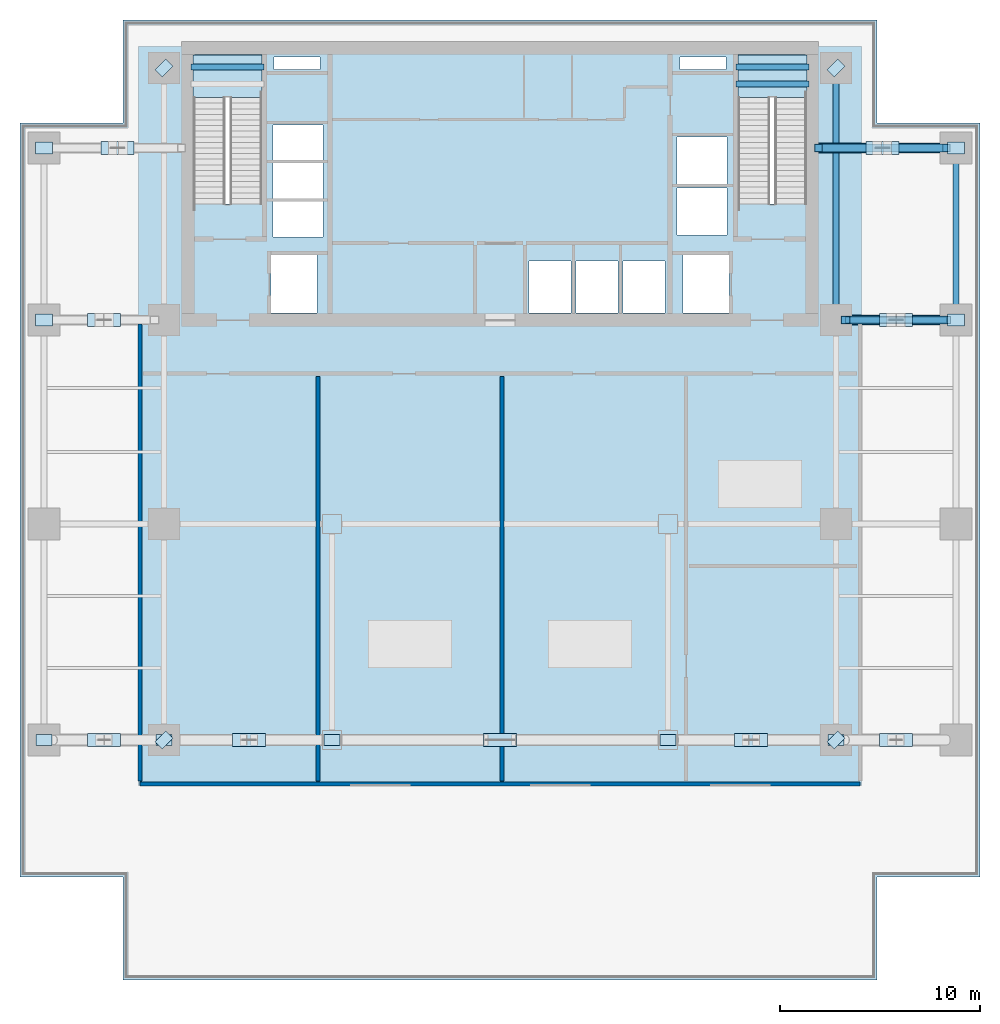
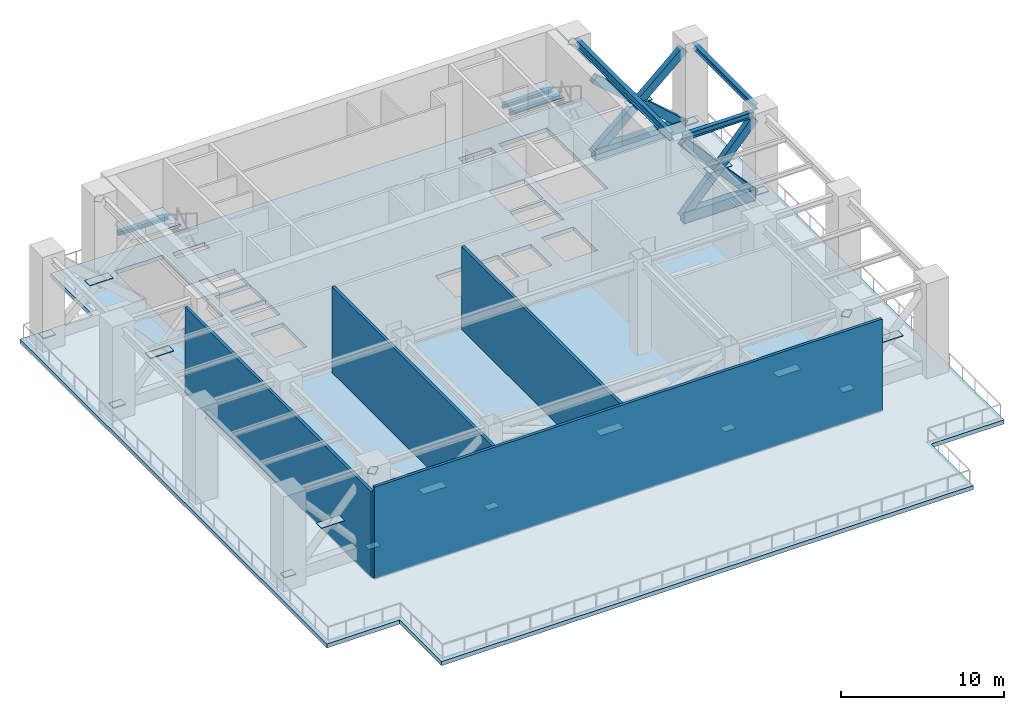
# One storey, part 2 of 8: 22 plates, 8 beams, 6 members, 4 walls, 3 slabs, 2 elements without a shape of their own.
"""IFC4 building model written with IfcOpenShell, lengths in metres."""

from ifc_helpers import new_model, si_unit, direction, frame, frame_2d, origin, origin_2d, place, context, subcontext, project, spatial, polyline, rectangle, hollow_rectangle, i_section, outline, extrude, source, transform, mapped, material, layer, layer_set, material_profile, profile_set, type_object, element, aggregate, save


model = new_model("IFC4")

# Units and contexts
model_context = context("Model", 3, precision=1e-05, world=origin(), true_north=direction((0.0, 1.0)))
body_context = subcontext(model_context, "Body", "Model", "MODEL_VIEW")
ifc_project = project(units=[si_unit("LENGTHUNIT", "METRE"), si_unit("AREAUNIT", "SQUARE_METRE"), si_unit("VOLUMEUNIT", "CUBIC_METRE"), si_unit("PLANEANGLEUNIT", "RADIAN"), si_unit("MASSUNIT", "GRAM", prefix="KILO")], contexts=[model_context])

# Site, building, storey
site_placement = place(None, origin())
site = spatial("IfcSite", under=ifc_project, at=site_placement, CompositionType="ELEMENT")
building_placement = place(site_placement, origin())
building = spatial("IfcBuilding", under=site, at=building_placement, Name="Sumidabori Civic Tower", CompositionType="ELEMENT")
storey_placement = place(building_placement, frame((0.0, 0.0, 189.199951171875)))
storey = spatial("IfcBuildingStorey", under=building, at=storey_placement, Name="L49", CompositionType="ELEMENT", Elevation=189.199951171875)

# Beams
ifc_material_1 = material(Name="Steel SN490", Category="steel")
ifc_material_profile_1 = material_profile(ifc_material_1, i_section(OverallWidth=0.300048828125, OverallDepth=0.300048828125, WebThickness=0.010986328125, FlangeThickness=0.01904296875, at=origin_2d()), Name="HE 300 B")
ifc_profile_set_1 = profile_set([ifc_material_profile_1], Name="Steel SN490")
beam_type_1 = type_object("IfcBeamType", Name="BM-LDG-300", PredefinedType="BEAM", material=ifc_profile_set_1)
shared_shape_1 = source(origin(), body_context, "Body", "SweptSolid", [
    extrude(i_section(OverallWidth=0.300048828125, OverallDepth=0.300048828125, WebThickness=0.010986328125, FlangeThickness=0.01904296875, at=origin_2d()), origin(), (0.0, 0.0, 1.0), 3.64990234375),
])
for number, where, z_axis, x_axis, name in (
    (1, (-15.449951171875, 22.853515625, 3.25), (1.0, 0.0, 0.0), (0.0, 1.0, 0.0), "Stair ST-1 Landing Trimmer Beam L49-1B"),
    (2, (11.800048828125, 22.001708984375, 3.25), (1.0, 0.0, 0.0), (0.0, 1.0, 0.0), "Stair ST-2 Landing Support Beam L49-1A"),
    (3, (11.800048828125, 22.853515625, 3.25), (1.0, 0.0, 0.0), (0.0, 1.0, 0.0), "Stair ST-2 Landing Trimmer Beam L49-1B"),
):
    element("IfcBeam", number, at=place(storey_placement, frame(where, z_axis=z_axis, x_axis=x_axis)), inside=storey, type_object=beam_type_1, Name=name, PredefinedType="BEAM", context=body_context, shape_type="MappedRepresentation", body=[
        mapped(shared_shape_1, transform((0.0, 0.0, 0.0), x_axis=(1.0, 0.0, 0.0), y_axis=(0.0, 1.0, 0.0), z_axis=(0.0, 0.0, 1.0), scale=1.0)),
    ])
ifc_material_profile_2 = material_profile(ifc_material_1, i_section(OverallWidth=0.300048828125, OverallDepth=0.39990234375, WebThickness=0.013427734375, FlangeThickness=0.02392578125, at=origin_2d()), Name="HE 400 B")
ifc_profile_set_2 = profile_set([ifc_material_profile_2], Name="Steel SN490")
beam_type_2 = type_object("IfcBeamType", Name="BM-GIRD-400", PredefinedType="BEAM", material=ifc_profile_set_2)
shared_shape_2 = source(origin(), body_context, "Body", "SweptSolid", [
    extrude(i_section(OverallWidth=0.300048828125, OverallDepth=0.39990234375, WebThickness=0.013427734375, FlangeThickness=0.02392578125, at=origin_2d()), origin(), (0.0, 0.0, 1.0), 7.64013671875),
])
beam_1_placement = place(storey_placement, frame((22.800048828125, 10.679931640625, 6.699951171875), z_axis=(0.0, 1.0, 0.0), x_axis=(-1.0, 0.0, 0.0)))
element("IfcBeam", 4, at=beam_1_placement, inside=storey, type_object=beam_type_2, Name="Primary Girder L49 GY-26", PredefinedType="BEAM", context=body_context, shape_type="MappedRepresentation", body=[
    mapped(shared_shape_2, transform((0.0, 0.0, 0.0), x_axis=(1.0, 0.0, 0.0), y_axis=(0.0, 1.0, 0.0), z_axis=(0.0, 0.0, 1.0), scale=1.0)),
])
ifc_material_profile_3 = material_profile(ifc_material_1, i_section(OverallWidth=0.300048828125, OverallDepth=0.60009765625, WebThickness=0.015380859375, FlangeThickness=0.030029296875, at=origin_2d()), Name="HE 600 B")
ifc_profile_set_3 = profile_set([ifc_material_profile_3], Name="Steel SN490")
beam_type_3 = type_object("IfcBeamType", Name="BM-GIRD-600", PredefinedType="BEAM", material=ifc_profile_set_3)
shared_shape_3 = source(origin(), body_context, "Body", "SweptSolid", [
    extrude(i_section(OverallWidth=0.300048828125, OverallDepth=0.60009765625, WebThickness=0.015380859375, FlangeThickness=0.030029296875, at=origin_2d()), origin(), (0.0, 0.0, 1.0), 11.64013671875),
])
beam_2_placement = place(storey_placement, frame((16.800048828125, 10.679931640625, 6.60009765625), z_axis=(0.0, 1.0, 0.0), x_axis=(-1.0, 0.0, 0.0)))
element("IfcBeam", 5, at=beam_2_placement, inside=storey, type_object=beam_type_3, Name="Primary Girder L49 GY-23", PredefinedType="BEAM", context=body_context, shape_type="MappedRepresentation", body=[
    mapped(shared_shape_3, transform((0.0, 0.0, 0.0), x_axis=(1.0, 0.0, 0.0), y_axis=(0.0, 1.0, 0.0), z_axis=(0.0, 0.0, 1.0), scale=1.0)),
])
ifc_material_profile_4 = material_profile(ifc_material_1, i_section(OverallWidth=0.300048828125, OverallDepth=0.449951171875, WebThickness=0.013916015625, FlangeThickness=0.02587890625, at=origin_2d()), Name="HE 450 B")
ifc_profile_set_4 = profile_set([ifc_material_profile_4], Name="Steel SN490")
beam_type_4 = type_object("IfcBeamType", Name="BM-GIRD-450", PredefinedType="BEAM", material=ifc_profile_set_4)
shared_shape_4 = source(origin(), body_context, "Body", "SweptSolid", [
    extrude(i_section(OverallWidth=0.300048828125, OverallDepth=0.449951171875, WebThickness=0.013916015625, FlangeThickness=0.02587890625, at=origin_2d()), origin(), (0.0, 0.0, 1.0), 5.0400390625),
])
beam_3_placement = place(storey_placement, frame((17.280029296875, 10.199951171875, 6.675048828125), z_axis=(1.0, 0.0, 0.0), x_axis=(0.0, 1.0, 0.0)))
element("IfcBeam", 6, at=beam_3_placement, inside=storey, type_object=beam_type_4, Name="Primary Girder L49 GX-12", PredefinedType="BEAM", context=body_context, shape_type="MappedRepresentation", body=[
    mapped(shared_shape_4, transform((0.0, 0.0, 0.0), x_axis=(1.0, 0.0, 0.0), y_axis=(0.0, 1.0, 0.0), z_axis=(0.0, 0.0, 1.0), scale=1.0)),
])
ifc_material_profile_5 = material_profile(ifc_material_1, hollow_rectangle(XDim=0.5, YDim=0.800048828125, WallThickness=0.031982421875, at=origin_2d()), Name="RHS 800x500x32")
ifc_profile_set_5 = profile_set([ifc_material_profile_5], Name="Steel SN490")
beam_type_5 = type_object("IfcBeamType", Name="BM-OUTR-CHORD", PredefinedType="BEAM", material=ifc_profile_set_5)
shared_shape_5 = source(origin(), body_context, "Body", "SweptSolid", [
    extrude(hollow_rectangle(XDim=0.5, YDim=0.800048828125, WallThickness=0.031982421875, at=origin_2d()), origin(), (0.0, 0.0, 1.0), 5.0400390625),
])
beam_4_placement = place(storey_placement, frame((17.280029296875, 10.199951171875, 0.699951171875), z_axis=(1.0, 0.0, 0.0), x_axis=(0.0, 1.0, 0.0)))
element("IfcBeam", 7, at=beam_4_placement, inside=storey, type_object=beam_type_5, Name="Outrigger Truss Chord L49 E1", PredefinedType="BEAM", context=body_context, shape_type="MappedRepresentation", body=[
    mapped(shared_shape_5, transform((0.0, 0.0, 0.0), x_axis=(1.0, 0.0, 0.0), y_axis=(0.0, 1.0, 0.0), z_axis=(0.0, 0.0, 1.0), scale=1.0)),
])

# Members
ifc_material_profile_6 = material_profile(ifc_material_1, hollow_rectangle(XDim=0.39990234375, YDim=0.60009765625, WallThickness=0.02490234375, at=origin_2d()), Name="RHS 600x400x25")
ifc_profile_set_6 = profile_set([ifc_material_profile_6], Name="Steel SN490")
member_type = type_object("IfcMemberType", Name="MB-OT-DIAG", PredefinedType="BRACE", material=ifc_profile_set_6)
shared_shape_6 = source(origin(), body_context, "Body", "SweptSolid", [
    extrude(hollow_rectangle(XDim=0.39990234375, YDim=0.60009765625, WallThickness=0.02490234375, at=origin_2d()), origin(), (0.0, 0.0, 1.0), 7.5712890625),
])
member_1_placement = place(storey_placement, frame((17.280029296875, 10.199951171875, 0.699951171875), z_axis=(0.665667751905, 0.0, 0.746248245608), x_axis=(0.0, 1.0, 0.0)))
element("IfcMember", 8, at=member_1_placement, inside=storey, type_object=member_type, Name="Outrigger Truss Diagonal L49 E1A", PredefinedType="BRACE", context=body_context, shape_type="MappedRepresentation", body=[
    mapped(shared_shape_6, transform((0.0, 0.0, 0.0), x_axis=(1.0, 0.0, 0.0), y_axis=(0.0, 1.0, 0.0), z_axis=(0.0, 0.0, 1.0), scale=1.0)),
])
shared_shape_7 = source(origin(), body_context, "Body", "SweptSolid", [
    extrude(hollow_rectangle(XDim=0.39990234375, YDim=0.60009765625, WallThickness=0.02490234375, at=origin_2d()), origin(), (0.0, 0.0, 1.0), 3.437255859375),
])
for number, where, z_axis, x_axis, name in (
    (9, (17.280029296875, 10.199951171875, 6.35009765625), (0.665685410802, 0.0, -0.746232493159), (0.0, 1.0, 0.0), "Outrigger Truss Diagonal L49 E1B Lower Segment"),
    (10, (20.031982421875, 10.199951171875, 3.26513671875), (0.665650127754, 0.0, -0.746263966316), (0.0, 1.0, 0.0), "Outrigger Truss Diagonal L49 E1B Upper Segment"),
):
    element("IfcMember", number, at=place(storey_placement, frame(where, z_axis=z_axis, x_axis=x_axis)), inside=storey, type_object=member_type, Name=name, PredefinedType="BRACE", context=body_context, shape_type="MappedRepresentation", body=[
        mapped(shared_shape_7, transform((0.0, 0.0, 0.0), x_axis=(1.0, 0.0, 0.0), y_axis=(0.0, 1.0, 0.0), z_axis=(0.0, 0.0, 1.0), scale=1.0)),
    ])

# Beam
shared_shape_8 = source(origin(), body_context, "Body", "SweptSolid", [
    extrude(hollow_rectangle(XDim=0.5, YDim=0.800048828125, WallThickness=0.031982421875, at=origin_2d()), origin(), (0.0, 0.0, 1.0), 6.39501953125),
])
beam_5_placement = place(storey_placement, frame((15.925048828125, 18.800048828125, 0.699951171875), z_axis=(1.0, 0.0, 0.0), x_axis=(0.0, 1.0, 0.0)))
element("IfcBeam", 11, at=beam_5_placement, inside=storey, type_object=beam_type_5, Name="Outrigger Truss Chord L49 E2", PredefinedType="BEAM", context=body_context, shape_type="MappedRepresentation", body=[
    mapped(shared_shape_8, transform((0.0, 0.0, 0.0), x_axis=(1.0, 0.0, 0.0), y_axis=(0.0, 1.0, 0.0), z_axis=(0.0, 0.0, 1.0), scale=1.0)),
])

# Members
shared_shape_9 = source(origin(), body_context, "Body", "SweptSolid", [
    extrude(hollow_rectangle(XDim=0.39990234375, YDim=0.60009765625, WallThickness=0.02490234375, at=origin_2d()), origin(), (0.0, 0.0, 1.0), 8.533447265625),
])
member_2_placement = place(storey_placement, frame((15.925048828125, 18.800048828125, 0.699951171875), z_axis=(0.749402703282, 0.0, 0.662114482785), x_axis=(0.0, 1.0, 0.0)))
element("IfcMember", 12, at=member_2_placement, inside=storey, type_object=member_type, Name="Outrigger Truss Diagonal L49 E2A", PredefinedType="BRACE", context=body_context, shape_type="MappedRepresentation", body=[
    mapped(shared_shape_9, transform((0.0, 0.0, 0.0), x_axis=(1.0, 0.0, 0.0), y_axis=(0.0, 1.0, 0.0), z_axis=(0.0, 0.0, 1.0), scale=1.0)),
])
shared_shape_10 = source(origin(), body_context, "Body", "SweptSolid", [
    extrude(hollow_rectangle(XDim=0.39990234375, YDim=0.60009765625, WallThickness=0.02490234375, at=origin_2d()), origin(), (0.0, 0.0, 1.0), 3.9150390625),
])
member_3_placement = place(storey_placement, frame((15.925048828125, 18.800048828125, 6.35009765625), z_axis=(0.749380895254, 0.0, -0.662139165001), x_axis=(0.0, 1.0, 0.0)))
element("IfcMember", 13, at=member_3_placement, inside=storey, type_object=member_type, Name="Outrigger Truss Diagonal L49 E2B Lower Segment", PredefinedType="BRACE", context=body_context, shape_type="MappedRepresentation", body=[
    mapped(shared_shape_10, transform((0.0, 0.0, 0.0), x_axis=(1.0, 0.0, 0.0), y_axis=(0.0, 1.0, 0.0), z_axis=(0.0, 0.0, 1.0), scale=1.0)),
])
shared_shape_11 = source(origin(), body_context, "Body", "SweptSolid", [
    extrude(hollow_rectangle(XDim=0.39990234375, YDim=0.60009765625, WallThickness=0.02490234375, at=origin_2d()), origin(), (0.0, 0.0, 1.0), 3.915283203125),
])
member_4_placement = place(storey_placement, frame((19.385986328125, 18.800048828125, 3.292236328125), z_axis=(0.749408233754, 0.0, -0.662108223165), x_axis=(0.0, 1.0, 0.0)))
element("IfcMember", 14, at=member_4_placement, inside=storey, type_object=member_type, Name="Outrigger Truss Diagonal L49 E2B Upper Segment", PredefinedType="BRACE", context=body_context, shape_type="MappedRepresentation", body=[
    mapped(shared_shape_11, transform((0.0, 0.0, 0.0), x_axis=(1.0, 0.0, 0.0), y_axis=(0.0, 1.0, 0.0), z_axis=(0.0, 0.0, 1.0), scale=1.0)),
])

# Stair, slab
ifc_material_2 = material(Name="Concrete C40/50", Category="concrete")
stair_type = type_object("IfcStairType", Name="ST-CORE-1600", PredefinedType="HALF_TURN_STAIR", material=ifc_material_2)
stair_1_placement = place(storey_placement, origin())
stair_1 = element("IfcStair", 15, at=stair_1_placement, inside=storey, type_object=stair_type, Name="L49 ST-1", PredefinedType="HALF_TURN_STAIR")
ifc_layer_1 = layer(ifc_material_2, 0.199951171875, Name="Concrete C40/50")
ifc_layer_set_1 = layer_set([ifc_layer_1], Name="Concrete C40/50")
slab_type_1 = type_object("IfcSlabType", Name="SL-LAND-200", PredefinedType="LANDING", material=ifc_layer_set_1)
slab_1_placement = place(storey_placement, frame((0.0, 0.0, 3.400146484375)))
slab_1 = element("IfcSlab", 16, at=slab_1_placement, type_object=slab_type_1, Name="ST-1 landing 1", PredefinedType="LANDING", context=body_context, shape_type="SweptSolid", body=[
    extrude(outline(polyline([(-11.89990234375, 21.320068359375), (-11.89990234375, 23.449951171875), (-15.340087890625, 23.449951171875), (-15.340087890625, 21.320068359375), (-11.89990234375, 21.320068359375)])), origin(), (0.0, 0.0, 1.0), 0.199951171875),
])
aggregate(stair_1, [slab_1])

stair_2_placement = place(storey_placement, origin())
stair_2 = element("IfcStair", 17, at=stair_2_placement, inside=storey, type_object=stair_type, Name="L49 ST-2", PredefinedType="HALF_TURN_STAIR")
slab_2_placement = place(storey_placement, frame((0.0, 0.0, 3.400146484375)))
slab_2 = element("IfcSlab", 18, at=slab_2_placement, type_object=slab_type_1, Name="ST-2 landing 1", PredefinedType="LANDING", context=body_context, shape_type="SweptSolid", body=[
    extrude(outline(polyline([(15.340087890625, 21.320068359375), (15.340087890625, 23.449951171875), (11.89990234375, 23.449951171875), (11.89990234375, 21.320068359375), (15.340087890625, 21.320068359375)])), origin(), (0.0, 0.0, 1.0), 0.199951171875),
])
aggregate(stair_2, [slab_2])

# Slab
ifc_layer_2 = layer(ifc_material_2, 0.300048828125, Name="Concrete C40/50")
ifc_layer_set_2 = layer_set([ifc_layer_2], Name="Concrete C40/50")
slab_type_2 = type_object("IfcSlabType", Name="SL-PRT-300", PredefinedType="FLOOR", material=ifc_layer_set_2)
slab_3_placement = place(storey_placement, frame((0.0, 0.0, -0.300048828125)))
element("IfcSlab", 19, at=slab_3_placement, inside=storey, type_object=slab_type_2, Name="Wind-Slot Refuge and Plant Structural Slab L49", PredefinedType="FLOOR", context=body_context, shape_type="SweptSolid", body=[
    extrude(outline(polyline([(-18.85009765625, -22.800048828125), (18.85009765625, -22.800048828125), (18.85009765625, -17.64990234375), (24.0, -17.64990234375), (24.0, 20.050048828125), (18.85009765625, 20.050048828125), (18.85009765625, 25.199951171875), (-18.85009765625, 25.199951171875), (-18.85009765625, 20.050048828125), (-24.0, 20.050048828125), (-24.0, -17.64990234375), (-18.85009765625, -17.64990234375), (-18.85009765625, -22.800048828125)]), holes=[polyline([(-11.89990234375, 16.0), (-11.89990234375, 23.449951171875), (-15.340087890625, 23.449951171875), (-15.340087890625, 16.0), (-11.89990234375, 16.0)]), polyline([(15.340087890625, 16.0), (15.340087890625, 23.449951171875), (11.89990234375, 23.449951171875), (11.89990234375, 16.0), (15.340087890625, 16.0)]), polyline([(-11.449951171875, 10.550048828125), (-9.14990234375, 10.550048828125), (-9.14990234375, 13.449951171875), (-11.449951171875, 13.449951171875), (-11.449951171875, 10.550048828125)]), polyline([(9.14990234375, 10.550048828125), (11.449951171875, 10.550048828125), (11.449951171875, 13.449951171875), (9.14990234375, 13.449951171875), (9.14990234375, 10.550048828125)]), polyline([(1.449951171875, 10.550048828125), (3.550048828125, 10.550048828125), (3.550048828125, 13.14990234375), (1.449951171875, 13.14990234375), (1.449951171875, 10.550048828125)]), polyline([(3.800048828125, 10.550048828125), (5.89990234375, 10.550048828125), (5.89990234375, 13.14990234375), (3.800048828125, 13.14990234375), (3.800048828125, 10.550048828125)]), polyline([(6.14990234375, 10.550048828125), (8.25, 10.550048828125), (8.25, 13.14990234375), (6.14990234375, 13.14990234375), (6.14990234375, 10.550048828125)]), polyline([(-11.35009765625, 14.35009765625), (-8.85009765625, 14.35009765625), (-8.85009765625, 16.1201171875), (-11.35009765625, 16.1201171875), (-11.35009765625, 14.35009765625)]), polyline([(-11.35009765625, 16.27001953125), (-8.85009765625, 16.27001953125), (-8.85009765625, 18.0400390625), (-11.35009765625, 18.0400390625), (-11.35009765625, 16.27001953125)]), polyline([(-11.35009765625, 18.18994140625), (-8.85009765625, 18.18994140625), (-8.85009765625, 19.9599609375), (-11.35009765625, 19.9599609375), (-11.35009765625, 18.18994140625)]), polyline([(8.85009765625, 14.449951171875), (11.35009765625, 14.449951171875), (11.35009765625, 16.800048828125), (8.85009765625, 16.800048828125), (8.85009765625, 14.449951171875)]), polyline([(8.85009765625, 17.0), (11.35009765625, 17.0), (11.35009765625, 19.35009765625), (8.85009765625, 19.35009765625), (8.85009765625, 17.0)]), polyline([(-11.300048828125, 22.719970703125), (-9.0, 22.719970703125), (-9.0, 23.35009765625), (-11.300048828125, 23.35009765625), (-11.300048828125, 22.719970703125)]), polyline([(9.0, 22.719970703125), (11.300048828125, 22.719970703125), (11.300048828125, 23.35009765625), (9.0, 23.35009765625), (9.0, 22.719970703125)])]), origin(), (0.0, 0.0, 1.0), 0.300048828125),
])

# Plates
ifc_layer_3 = layer(ifc_material_1, 0.0400390625, Name="Steel SN490")
ifc_layer_set_3 = layer_set([ifc_layer_3], Name="Steel SN490")
plate_type_1 = type_object("IfcPlateType", Name="PL-NODE-XBR", PredefinedType="USERDEFINED", material=ifc_layer_set_3)
shared_shape_12 = source(origin(), body_context, "Body", "SweptSolid", [
    extrude(rectangle(XDim=1.64990234375, YDim=0.64990234375, at=origin_2d()), origin(), (0.0, 0.0, 1.0), 0.0400390625),
])
for number, where, z_axis, x_axis, name in (
    (20, (-19.800048828125, -10.800048828125, 3.505126953125), (0.0, 0.0, 1.0), (1.0, 0.0, 0.0), "X-Brace Crossing Node Plate XND-BT-1"),
    (21, (-12.550048828125, -10.800048828125, 3.505126953125), (0.0, 0.0, 1.0), (1.0, 0.0, 0.0), "X-Brace Crossing Node Plate XND-BT-2"),
    (22, (0.0, -10.800048828125, 3.505126953125), (0.0, 0.0, 1.0), (1.0, 0.0, 0.0), "X-Brace Crossing Node Plate XND-BT-3"),
    (23, (12.550048828125, -10.800048828125, 3.505126953125), (0.0, 0.0, 1.0), (1.0, 0.0, 0.0), "X-Brace Crossing Node Plate XND-BT-4"),
    (24, (19.800048828125, -10.800048828125, 3.505126953125), (0.0, 0.0, 1.0), (1.0, 0.0, 0.0), "X-Brace Crossing Node Plate XND-BT-5"),
    (25, (-19.800048828125, 10.199951171875, 3.505126953125), (0.0, 0.0, 1.0), (-1.0, 0.0, 0.0), "X-Brace Crossing Node Plate XND-OT-W1"),
    (26, (-19.12255859375, 18.800048828125, 3.505126953125), (0.0, 0.0, 1.0), (-1.0, 0.0, 0.0), "X-Brace Crossing Node Plate XND-OT-W2"),
    (27, (19.800048828125, 10.199951171875, 3.505126953125), (0.0, 0.0, 1.0), (1.0, 0.0, 0.0), "X-Brace Crossing Node Plate XND-OT-E1"),
    (28, (19.12255859375, 18.800048828125, 3.505126953125), (0.0, 0.0, 1.0), (1.0, 0.0, 0.0), "X-Brace Crossing Node Plate XND-OT-E2"),
):
    element("IfcPlate", number, at=place(storey_placement, frame(where, z_axis=z_axis, x_axis=x_axis)), inside=storey, type_object=plate_type_1, Name=name, ObjectType="GUSSET_PLATE", PredefinedType="USERDEFINED", context=body_context, shape_type="MappedRepresentation", body=[
        mapped(shared_shape_12, transform((0.0, 0.0, 0.0), x_axis=(1.0, 0.0, 0.0), y_axis=(0.0, 1.0, 0.0), z_axis=(0.0, 0.0, 1.0), scale=1.0)),
    ])
ifc_layer_4 = layer(ifc_material_1, 0.0400390625, Name="Steel SN490")
ifc_layer_set_4 = layer_set([ifc_layer_4], Name="Steel SN490")
plate_type_2 = type_object("IfcPlateType", Name="PL-NODE-BT", PredefinedType="USERDEFINED", material=ifc_layer_set_4)
shared_shape_13 = source(origin(), body_context, "Body", "SweptSolid", [
    extrude(rectangle(XDim=0.800048828125, YDim=0.550048828125, at=origin_2d()), origin(), (0.0, 0.0, 1.0), 0.0400390625),
])
for number, where, z_axis, x_axis, name in (
    (29, (-22.800048828125, -10.800048828125, 0.679931640625), (0.0, 0.0, 1.0), (1.0, 0.0, 0.0), "Belt Truss Node Cap Plate L49"),
    (30, (-16.800048828125, -10.800048828125, 0.679931640625), (0.0, 0.0, 1.0), (1.0, 0.0, 0.0), "Belt Truss Node Cap Plate L49"),
    (31, (-8.39990234375, -10.800048828125, 0.679931640625), (0.0, 0.0, 1.0), (1.0, 0.0, 0.0), "Belt Truss Node Cap Plate L49"),
    (32, (8.39990234375, -10.800048828125, 0.679931640625), (0.0, 0.0, 1.0), (1.0, 0.0, 0.0), "Belt Truss Node Cap Plate L49"),
    (33, (16.800048828125, -10.800048828125, 0.679931640625), (0.0, 0.0, 1.0), (1.0, 0.0, 0.0), "Belt Truss Node Cap Plate L49"),
):
    element("IfcPlate", number, at=place(storey_placement, frame(where, z_axis=z_axis, x_axis=x_axis)), inside=storey, type_object=plate_type_2, Name=name, ObjectType="GUSSET_PLATE", PredefinedType="USERDEFINED", context=body_context, shape_type="MappedRepresentation", body=[
        mapped(shared_shape_13, transform((0.0, 0.0, 0.0), x_axis=(1.0, 0.0, 0.0), y_axis=(0.0, 1.0, 0.0), z_axis=(0.0, 0.0, 1.0), scale=1.0)),
    ])
ifc_layer_5 = layer(ifc_material_1, 0.0400390625, Name="Steel SN490")
ifc_layer_set_5 = layer_set([ifc_layer_5], Name="Steel SN490")
plate_type_3 = type_object("IfcPlateType", Name="PL-NODE-OT", PredefinedType="USERDEFINED", material=ifc_layer_set_5)
shared_shape_14 = source(origin(), body_context, "Body", "SweptSolid", [
    extrude(rectangle(XDim=0.85009765625, YDim=0.60009765625, at=origin_2d()), origin(), (0.0, 0.0, 1.0), 0.0400390625),
])
for number, where, z_axis, x_axis, name in (
    (34, (-22.800048828125, 10.199951171875, 0.679931640625), (0.0, 0.0, 1.0), (1.0, 0.0, 0.0), "Outrigger Column Node Gusset L49"),
    (35, (-22.800048828125, 18.800048828125, 0.679931640625), (0.0, 0.0, 1.0), (1.0, 0.0, 0.0), "Outrigger Column Node Gusset L49"),
    (36, (22.800048828125, 10.199951171875, 0.679931640625), (0.0, 0.0, 1.0), (1.0, 0.0, 0.0), "Outrigger Column Node Gusset L49"),
    (37, (22.800048828125, 18.800048828125, 0.679931640625), (0.0, 0.0, 1.0), (1.0, 0.0, 0.0), "Outrigger Column Node Gusset L49"),
):
    element("IfcPlate", number, at=place(storey_placement, frame(where, z_axis=z_axis, x_axis=x_axis)), inside=storey, type_object=plate_type_3, Name=name, ObjectType="GUSSET_PLATE", PredefinedType="USERDEFINED", context=body_context, shape_type="MappedRepresentation", body=[
        mapped(shared_shape_14, transform((0.0, 0.0, 0.0), x_axis=(1.0, 0.0, 0.0), y_axis=(0.0, 1.0, 0.0), z_axis=(0.0, 0.0, 1.0), scale=1.0)),
    ])
ifc_layer_6 = layer(ifc_material_1, 0.035888671875, Name="Steel SN490")
ifc_layer_set_6 = layer_set([ifc_layer_6], Name="Steel SN490")
plate_type_4 = type_object("IfcPlateType", Name="PL-NODE-KN", PredefinedType="USERDEFINED", material=ifc_layer_set_6)
shared_shape_15 = source(origin(), body_context, "Body", "SweptSolid", [
    extrude(rectangle(XDim=0.75, YDim=0.5, at=origin_2d()), origin(), (0.0, 0.0, 1.0), 0.035888671875),
])
for number, where, z_axis, x_axis, name in (
    (38, (-16.800048828125, -10.800048828125, 6.33203125), (0.0, 0.0, 1.0), (0.707106781187, 0.707106781187, 0.0), "Notched Corner Kink Node Plate L49-1"),
    (39, (16.800048828125, -10.800048828125, 6.33203125), (0.0, 0.0, 1.0), (0.707106781187, 0.707106781187, 0.0), "Notched Corner Kink Node Plate L49-2"),
    (40, (-16.800048828125, 22.800048828125, 6.33203125), (0.0, 0.0, 1.0), (0.707106781187, 0.707106781187, 0.0), "Notched Corner Kink Node Plate L49-3"),
    (41, (16.800048828125, 22.800048828125, 6.33203125), (0.0, 0.0, 1.0), (0.707106781187, 0.707106781187, 0.0), "Notched Corner Kink Node Plate L49-4"),
):
    element("IfcPlate", number, at=place(storey_placement, frame(where, z_axis=z_axis, x_axis=x_axis)), inside=storey, type_object=plate_type_4, Name=name, ObjectType="GUSSET_PLATE", PredefinedType="USERDEFINED", context=body_context, shape_type="MappedRepresentation", body=[
        mapped(shared_shape_15, transform((0.0, 0.0, 0.0), x_axis=(1.0, 0.0, 0.0), y_axis=(0.0, 1.0, 0.0), z_axis=(0.0, 0.0, 1.0), scale=1.0)),
    ])

# Walls
ifc_material_3 = material(Name="Gypsum Plasterboard Fire Partition")
ifc_layer_7 = layer(ifc_material_3, 0.199951171875, Name="Gypsum Plasterboard Fire Partition")
ifc_layer_set_7 = layer_set([ifc_layer_7], Name="Gypsum Plasterboard Fire Partition")
wall_type = type_object("IfcWallType", Name="WL-PART-FIRE", PredefinedType="PARTITIONING", material=ifc_layer_set_7)
shared_shape_16 = source(origin(), body_context, "Body", "SweptSolid", [
    extrude(rectangle(XDim=22.85009765625, YDim=0.199951171875, at=frame_2d((11.425048828125, 0.0))), origin(), (0.0, 0.0, 1.0), 6.43505859375),
])
wall_1_placement = place(storey_placement, frame((-18.0, -12.85009765625, 0.0), z_axis=(0.0, 0.0, 1.0), x_axis=(0.0, 1.0, 0.0)))
element("IfcWall", 42, at=wall_1_placement, inside=storey, type_object=wall_type, Name="Interior Partition WL:L49:PL-W", PredefinedType="PARTITIONING", context=body_context, shape_type="MappedRepresentation", body=[
    mapped(shared_shape_16, transform((0.0, 0.0, 0.0), x_axis=(1.0, 0.0, 0.0), y_axis=(0.0, 1.0, 0.0), z_axis=(0.0, 0.0, 1.0), scale=1.0)),
])
shared_shape_17 = source(origin(), body_context, "Body", "SweptSolid", [
    extrude(rectangle(XDim=36.0, YDim=0.199951171875, at=frame_2d((18.0, 0.0))), origin(), (0.0, 0.0, 1.0), 6.900146484375),
])
wall_2_placement = place(storey_placement, frame((-18.0, -13.0, 0.0), z_axis=(0.0, 0.0, 1.0), x_axis=(1.0, 0.0, 0.0)))
element("IfcWall", 43, at=wall_2_placement, inside=storey, type_object=wall_type, Name="Interior Partition WL:L49:PL-S", PredefinedType="PARTITIONING", context=body_context, shape_type="MappedRepresentation", body=[
    mapped(shared_shape_17, transform((0.0, 0.0, 0.0), x_axis=(1.0, 0.0, 0.0), y_axis=(0.0, 1.0, 0.0), z_axis=(0.0, 0.0, 1.0), scale=1.0)),
])
shared_shape_18 = source(origin(), body_context, "Body", "SweptSolid", [
    extrude(rectangle(XDim=20.22998046875, YDim=0.199951171875, at=frame_2d((10.114990234375, 0.0))), origin(), (0.0, 0.0, 1.0), 6.43505859375),
])
wall_3_placement = place(storey_placement, frame((-9.10009765625, -12.85009765625, 0.0), z_axis=(0.0, 0.0, 1.0), x_axis=(0.0, 1.0, 0.0)))
element("IfcWall", 44, at=wall_3_placement, inside=storey, type_object=wall_type, Name="Interior Partition WL:L49:PDIV-1", PredefinedType="PARTITIONING", context=body_context, shape_type="MappedRepresentation", body=[
    mapped(shared_shape_18, transform((0.0, 0.0, 0.0), x_axis=(1.0, 0.0, 0.0), y_axis=(0.0, 1.0, 0.0), z_axis=(0.0, 0.0, 1.0), scale=1.0)),
])
shared_shape_19 = source(origin(), body_context, "Body", "SweptSolid", [
    extrude(rectangle(XDim=20.22998046875, YDim=0.199951171875, at=frame_2d((10.114990234375, 0.0))), origin(), (0.0, 0.0, 1.0), 6.22509765625),
])
wall_4_placement = place(storey_placement, frame((0.10009765625, -12.85009765625, 0.0), z_axis=(0.0, 0.0, 1.0), x_axis=(0.0, 1.0, 0.0)))
element("IfcWall", 45, at=wall_4_placement, inside=storey, type_object=wall_type, Name="Interior Partition WL:L49:PDIV-2", PredefinedType="PARTITIONING", context=body_context, shape_type="MappedRepresentation", body=[
    mapped(shared_shape_19, transform((0.0, 0.0, 0.0), x_axis=(1.0, 0.0, 0.0), y_axis=(0.0, 1.0, 0.0), z_axis=(0.0, 0.0, 1.0), scale=1.0)),
])

save(model, "model.ifc")
